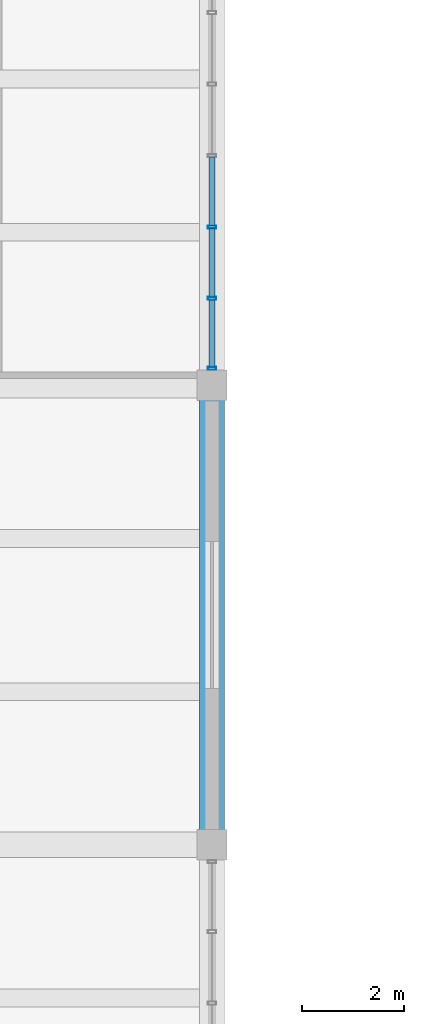
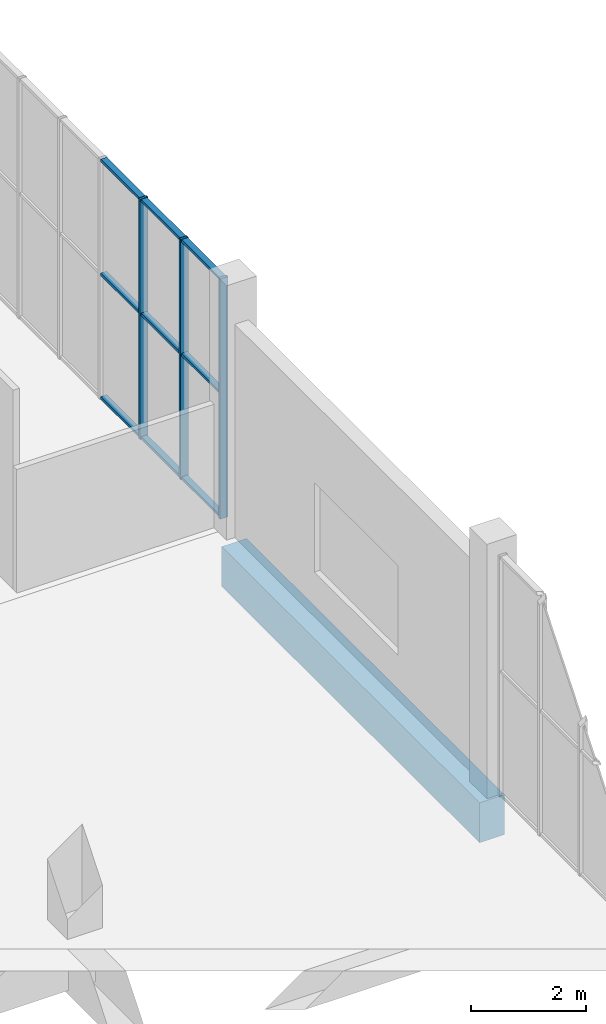
# One storey, part 24 of 132: 12 members, 1 beam, 1 element without a shape of its own.
"""IFC4 building model written with IfcOpenShell, lengths in metres."""

import ifcopenshell
import ifcopenshell.guid

model = None  # the IFC model being written
_history = None  # IfcOwnerHistory: only IFC2X3 demands one
_inside = {}  # id of a spatial element -> (the spatial element, [elements in it])
_under = {}  # id of a project, library or spatial element -> (it, [spatial elements below it])
_declared = {}  # id of a project -> (the project, [libraries it declares])
_typed = {}  # id of a type object -> (the type object, [elements of that type])
_made_of = {}  # id of a material, layer set ... -> (it, [elements and type objects made of it])


def new_model(schema):
    """Start an empty IFC model of exactly this schema.

    Asked for "IFC4X3", IfcOpenShell would pick the latest addendum, in which some entities
    have other attributes; the version numbers below select the first issue.
    IFC2X3 requires an IfcOwnerHistory on every rooted entity: one is made here for all.
    """
    global model, _history
    if schema == "IFC4X3":
        model = ifcopenshell.file(schema_version=(4, 3, 0, 0))
    else:
        model = ifcopenshell.file(schema=schema)
    _inside.clear()
    _under.clear()
    _declared.clear()
    _typed.clear()
    _made_of.clear()
    _history = None
    if model.schema == "IFC2X3":
        org = make("IfcOrganization", Name="unknown")
        user = make(
            "IfcPersonAndOrganization",
            ThePerson=make("IfcPerson", FamilyName="unknown"),
            TheOrganization=org,
        )
        app = make(
            "IfcApplication",
            ApplicationDeveloper=org,
            Version="unknown",
            ApplicationFullName="unknown",
            ApplicationIdentifier="unknown",
        )
        _history = make(
            "IfcOwnerHistory",
            OwningUser=user,
            OwningApplication=app,
            ChangeAction="ADDED",
            CreationDate=0,
        )
    return model


def make(cls, **values):
    """One entity of the class cls with the attributes given. An attribute that is None is left unset."""
    return model.create_entity(
        cls, **{name: value for name, value in values.items() if value is not None}
    )


def rooted(cls, **values):
    """An entity with a GlobalId (a new one), such as an element, a storey or a relation."""
    return make(cls, GlobalId=ifcopenshell.guid.new(), OwnerHistory=_history, **values)


def si_unit(unit_type, name, prefix=None):
    """IfcSIUnit, for example si_unit("LENGTHUNIT", "METRE", prefix="MILLI")."""
    return make("IfcSIUnit", UnitType=unit_type, Prefix=prefix, Name=name)


def assignment(units):
    """IfcUnitAssignment: the units of a project."""
    return None if units is None else make("IfcUnitAssignment", Units=units)


def point(xyz):
    """IfcCartesianPoint."""
    return None if xyz is None else make("IfcCartesianPoint", Coordinates=xyz)


def direction(xyz):
    """IfcDirection."""
    return None if xyz is None else make("IfcDirection", DirectionRatios=xyz)


def frame(location, z_axis=None, x_axis=None):
    """IfcAxis2Placement3D, a coordinate frame: its origin and axes. An axis left out is left unset."""
    return make(
        "IfcAxis2Placement3D",
        Location=point(location),
        Axis=direction(z_axis),
        RefDirection=direction(x_axis),
    )


def frame_2d(location, x_axis=None):
    """IfcAxis2Placement2D, a coordinate frame in the plane: its origin and x axis."""
    return make(
        "IfcAxis2Placement2D", Location=point(location), RefDirection=direction(x_axis)
    )


def origin():
    """The frame at (0, 0, 0) with its axes left unset."""
    return frame((0.0, 0.0, 0.0))


def origin_2d():
    """The frame at (0, 0) in the plane with its x axis left unset."""
    return frame_2d((0.0, 0.0))


def place(relative_to, where):
    """IfcLocalPlacement: puts the frame where relative to a parent placement (None: the world)."""
    return make(
        "IfcLocalPlacement", PlacementRelTo=relative_to, RelativePlacement=where
    )


def context(
    kind, dimensions, precision=None, world=None, true_north=None, identifier=None
):
    """IfcGeometricRepresentationContext, for example the 3D "Model" context."""
    return make(
        "IfcGeometricRepresentationContext",
        ContextIdentifier=identifier,
        ContextType=kind,
        CoordinateSpaceDimension=dimensions,
        Precision=precision,
        WorldCoordinateSystem=world,
        TrueNorth=true_north,
    )


def subcontext(parent, identifier, kind, view, scale=None):
    """IfcGeometricRepresentationSubContext, for example "Body" below "Model"."""
    return make(
        "IfcGeometricRepresentationSubContext",
        ContextIdentifier=identifier,
        ContextType=kind,
        ParentContext=parent,
        TargetScale=scale,
        TargetView=view,
    )


def project(units=None, contexts=None):
    """IfcProject with its units and contexts."""
    return rooted(
        "IfcProject",
        Name="project",
        RepresentationContexts=contexts,
        UnitsInContext=assignment(units),
    )


def spatial(cls, under=None, at=None, **own):
    """A site, building, storey or space (cls), placed at a placement, below another one or the project."""
    s = rooted(cls, ObjectPlacement=at, **own)
    if under is not None:
        _under.setdefault(under.id(), (under, []))[1].append(s)
    return s


def profile(cls, at=None, kind="AREA", **sizes):
    """A parametric profile (cls). Its sizes go by their IFC names, for example OverallWidth=200.0."""
    return make(cls, ProfileType=kind, Position=at, **sizes)


def rectangle(**sizes):
    """IfcRectangleProfileDef."""
    return profile("IfcRectangleProfileDef", **sizes)


def hollow_rectangle(**sizes):
    """IfcRectangleHollowProfileDef."""
    return profile("IfcRectangleHollowProfileDef", **sizes)


def extrude(swept, where, along, depth):
    """IfcExtrudedAreaSolid: the profile swept, set in the frame where, extruded along a direction by depth."""
    return make(
        "IfcExtrudedAreaSolid",
        SweptArea=swept,
        Position=where,
        ExtrudedDirection=direction(along),
        Depth=depth,
    )


def shape(context_of_items, identifier, shape_type, items):
    """IfcShapeRepresentation: the items that make up one representation, for example the "Body"."""
    return make(
        "IfcShapeRepresentation",
        ContextOfItems=context_of_items,
        RepresentationIdentifier=identifier,
        RepresentationType=shape_type,
        Items=items,
    )


def material(Name=None, Category=None):
    """IfcMaterial."""
    return make("IfcMaterial", Name=Name, Category=Category)


def material_profile(
    of_material, cross_section, Name=None, Category=None, Priority=None
):
    """IfcMaterialProfile: a cross section and its material."""
    return make(
        "IfcMaterialProfile",
        Name=Name,
        Material=of_material,
        Profile=cross_section,
        Priority=Priority,
        Category=Category,
    )


def profile_set(profiles, Name=None, composite=None):
    """IfcMaterialProfileSet."""
    return make(
        "IfcMaterialProfileSet",
        Name=Name,
        MaterialProfiles=profiles,
        CompositeProfile=composite,
    )


def made_of(thing, what):
    """Note that an element or type object is made of a material, layer set ...; save() writes the relation."""
    if what is not None:
        _made_of.setdefault(what.id(), (what, []))[1].append(thing)
    return thing


def type_object(cls, material=None, **own):
    """A type object (cls), such as IfcWallType, which elements share."""
    return made_of(rooted(cls, **own), material)


def element(
    cls,
    number,
    at=None,
    inside=None,
    cuts=None,
    type_object=None,
    material=None,
    context=None,
    identifier="Body",
    shape_type=None,
    held_by="IfcProductDefinitionShape",
    body=None,
    shapes=None,
    **own,
):
    """One element of the class cls, such as IfcWall. Its Tag is "e" and its number.

    at: its placement. inside: the storey or other place that contains it. cuts: it is an
    opening in that element (IfcRelVoidsElement). A single representation is given by context,
    identifier, shape_type and body (its items); several are given by shapes. held_by: the class
    of the entity that holds the representations. save() writes the other relations.
    """
    e = rooted(cls, Tag="e%d" % number, ObjectPlacement=at, **own)
    if body is not None:
        shapes = [shape(context, identifier, shape_type, body)]
    if shapes is not None:
        e.Representation = make(held_by, Representations=shapes)
    if inside is not None:
        _inside.setdefault(inside.id(), (inside, []))[1].append(e)
    if cuts is not None:
        rooted(
            "IfcRelVoidsElement", RelatingBuildingElement=cuts, RelatedOpeningElement=e
        )
    if type_object is not None:
        _typed.setdefault(type_object.id(), (type_object, []))[1].append(e)
    return made_of(e, material)


def aggregate(whole, parts):
    """IfcRelAggregates: a whole, such as a stair, and the parts it consists of."""
    return rooted("IfcRelAggregates", RelatingObject=whole, RelatedObjects=parts)


def save(model, path):
    """Write the relations noted so far, then the file.

    IfcRelAggregates (storeys below a building ...), IfcRelContainedInSpatialStructure (elements
    in a storey), IfcRelDefinesByType, IfcRelAssociatesMaterial and IfcRelDeclares: one each for
    every whole, place, type object, material and project.
    """
    for whole, parts in _under.values():
        aggregate(whole, parts)
    for where, things in _inside.values():
        rooted(
            "IfcRelContainedInSpatialStructure",
            RelatedElements=things,
            RelatingStructure=where,
        )
    for kind, things in _typed.values():
        rooted("IfcRelDefinesByType", RelatedObjects=things, RelatingType=kind)
    for what, things in _made_of.values():
        rooted("IfcRelAssociatesMaterial", RelatedObjects=things, RelatingMaterial=what)
    for by, libraries in _declared.values():
        rooted("IfcRelDeclares", RelatingContext=by, RelatedDefinitions=libraries)
    model.write(path)


model = new_model("IFC4")

# Units and contexts
model_context = context("Model", 3, precision=1e-05, world=origin(), true_north=direction((0.0, 1.0)))
body_context = subcontext(model_context, "Body", "Model", "MODEL_VIEW")
ifc_project = project(units=[si_unit("LENGTHUNIT", "METRE"), si_unit("AREAUNIT", "SQUARE_METRE"), si_unit("VOLUMEUNIT", "CUBIC_METRE"), si_unit("PLANEANGLEUNIT", "RADIAN"), si_unit("MASSUNIT", "GRAM", prefix="KILO")], contexts=[model_context])

# Site, building, storey
site_placement = place(None, origin())
site = spatial("IfcSite", under=ifc_project, at=site_placement, CompositionType="ELEMENT")
building_placement = place(site_placement, origin())
building = spatial("IfcBuilding", under=site, at=building_placement, Name="Khurvash Pelagic Aquarium", CompositionType="ELEMENT")
storey_placement = place(building_placement, frame((0.0, 0.0, 5.39990234375)))
storey = spatial("IfcBuildingStorey", under=building, at=storey_placement, Name="L01", CompositionType="ELEMENT", Elevation=5.39990234375)

# Curtain wall, members
ifc_material_1 = material(Name="Anodised aluminium and low-E laminated glass", Category="aluminium")
curtain_wall_type = type_object("IfcCurtainWallType", Name="CW-06", PredefinedType="USERDEFINED", material=ifc_material_1)
curtain_wall_placement = place(storey_placement, origin())
curtain_wall = element("IfcCurtainWall", 1, at=curtain_wall_placement, inside=storey, type_object=curtain_wall_type, Name="L01 Facade Unitised Curtain Wall CW-06 0131", ObjectType="UNITISED CURTAIN WALL", PredefinedType="USERDEFINED")
ifc_material_2 = material(Name="Extruded aluminium AW-6063-T6", Category="aluminium")
ifc_material_profile_1 = material_profile(ifc_material_2, hollow_rectangle(XDim=0.06005859375, YDim=0.159912109375, WallThickness=0.00390625, at=origin_2d()), Name="CWM60X160X4")
ifc_profile_set_1 = profile_set([ifc_material_profile_1], Name="Extruded aluminium AW-6063-T6")
member_type_1 = type_object("IfcMemberType", Name="CM-02", PredefinedType="MULLION", material=ifc_profile_set_1)
member_1_placement = place(storey_placement, frame((33.60009765625, 57.235107421875, 0.0), z_axis=(0.0, 0.0, 1.0), x_axis=(0.0, 1.0, 0.0)))
member_1 = element("IfcMember", 2, at=member_1_placement, type_object=member_type_1, Name="CW-06 mullion 1", PredefinedType="MULLION", context=body_context, shape_type="SweptSolid", body=[
    extrude(hollow_rectangle(XDim=0.06005859375, YDim=0.159912109375, WallThickness=0.00390625, at=origin_2d()), origin(), (0.0, 0.0, 1.0), 5.10009765625),
])
member_2_placement = place(storey_placement, frame((33.60009765625, 58.611572265625, 0.0), z_axis=(0.0, 0.0, 1.0), x_axis=(0.0, 1.0, 0.0)))
member_2 = element("IfcMember", 3, at=member_2_placement, type_object=member_type_1, Name="CW-06 mullion 2", PredefinedType="MULLION", context=body_context, shape_type="SweptSolid", body=[
    extrude(hollow_rectangle(XDim=0.06005859375, YDim=0.159912109375, WallThickness=0.00390625, at=origin_2d()), origin(), (0.0, 0.0, 1.0), 5.10009765625),
])
member_3_placement = place(storey_placement, frame((33.60009765625, 60.018310546875, 0.0), z_axis=(0.0, 0.0, 1.0), x_axis=(0.0, 1.0, 0.0)))
member_3 = element("IfcMember", 4, at=member_3_placement, type_object=member_type_1, Name="CW-06 mullion 3", PredefinedType="MULLION", context=body_context, shape_type="SweptSolid", body=[
    extrude(hollow_rectangle(XDim=0.06005859375, YDim=0.159912109375, WallThickness=0.00390625, at=origin_2d()), origin(), (0.0, 0.0, 1.0), 5.10009765625),
])
ifc_material_profile_2 = material_profile(ifc_material_2, hollow_rectangle(XDim=0.1201171875, YDim=0.06005859375, WallThickness=0.00390625, at=origin_2d()), Name="CWT120X60X4")
ifc_profile_set_2 = profile_set([ifc_material_profile_2], Name="Extruded aluminium AW-6063-T6")
member_type_2 = type_object("IfcMemberType", Name="CT-02", PredefinedType="USERDEFINED", material=ifc_profile_set_2)
member_4_placement = place(storey_placement, frame((33.60009765625, 57.264892578125, 0.030029296875), z_axis=(0.0, 1.0, 0.0), x_axis=(-1.0, 0.0, 0.0)))
member_4 = element("IfcMember", 5, at=member_4_placement, type_object=member_type_2, Name="CW-06 transom 1.1", ObjectType="TRANSOM", PredefinedType="USERDEFINED", context=body_context, shape_type="SweptSolid", body=[
    extrude(hollow_rectangle(XDim=0.1201171875, YDim=0.06005859375, WallThickness=0.00390625, at=origin_2d()), origin(), (0.0, 0.0, 1.0), 1.31689453125),
])
member_5_placement = place(storey_placement, frame((33.60009765625, 57.264892578125, 2.652099609375), z_axis=(0.0, 1.0, 0.0), x_axis=(-1.0, 0.0, 0.0)))
member_5 = element("IfcMember", 6, at=member_5_placement, type_object=member_type_2, Name="CW-06 transom 1.2", ObjectType="TRANSOM", PredefinedType="USERDEFINED", context=body_context, shape_type="SweptSolid", body=[
    extrude(hollow_rectangle(XDim=0.1201171875, YDim=0.06005859375, WallThickness=0.00390625, at=origin_2d()), origin(), (0.0, 0.0, 1.0), 1.31689453125),
])
member_6_placement = place(storey_placement, frame((33.60009765625, 57.264892578125, 5.070068359375), z_axis=(0.0, 1.0, 0.0), x_axis=(-1.0, 0.0, 0.0)))
member_6 = element("IfcMember", 7, at=member_6_placement, type_object=member_type_2, Name="CW-06 transom 1.3", ObjectType="TRANSOM", PredefinedType="USERDEFINED", context=body_context, shape_type="SweptSolid", body=[
    extrude(hollow_rectangle(XDim=0.1201171875, YDim=0.06005859375, WallThickness=0.00390625, at=origin_2d()), origin(), (0.0, 0.0, 1.0), 1.31689453125),
])
member_7_placement = place(storey_placement, frame((33.60009765625, 58.6416015625, 0.030029296875), z_axis=(0.0, 1.0, 0.0), x_axis=(-1.0, 0.0, 0.0)))
member_7 = element("IfcMember", 8, at=member_7_placement, type_object=member_type_2, Name="CW-06 transom 2.1", ObjectType="TRANSOM", PredefinedType="USERDEFINED", context=body_context, shape_type="SweptSolid", body=[
    extrude(hollow_rectangle(XDim=0.1201171875, YDim=0.06005859375, WallThickness=0.00390625, at=origin_2d()), origin(), (0.0, 0.0, 1.0), 1.3466796875),
])
member_8_placement = place(storey_placement, frame((33.60009765625, 58.6416015625, 2.652099609375), z_axis=(0.0, 1.0, 0.0), x_axis=(-1.0, 0.0, 0.0)))
member_8 = element("IfcMember", 9, at=member_8_placement, type_object=member_type_2, Name="CW-06 transom 2.2", ObjectType="TRANSOM", PredefinedType="USERDEFINED", context=body_context, shape_type="SweptSolid", body=[
    extrude(hollow_rectangle(XDim=0.1201171875, YDim=0.06005859375, WallThickness=0.00390625, at=origin_2d()), origin(), (0.0, 0.0, 1.0), 1.3466796875),
])
member_9_placement = place(storey_placement, frame((33.60009765625, 58.6416015625, 5.070068359375), z_axis=(0.0, 1.0, 0.0), x_axis=(-1.0, 0.0, 0.0)))
member_9 = element("IfcMember", 10, at=member_9_placement, type_object=member_type_2, Name="CW-06 transom 2.3", ObjectType="TRANSOM", PredefinedType="USERDEFINED", context=body_context, shape_type="SweptSolid", body=[
    extrude(hollow_rectangle(XDim=0.1201171875, YDim=0.06005859375, WallThickness=0.00390625, at=origin_2d()), origin(), (0.0, 0.0, 1.0), 1.3466796875),
])
member_10_placement = place(storey_placement, frame((33.60009765625, 60.04833984375, 0.030029296875), z_axis=(0.0, 1.0, 0.0), x_axis=(-1.0, 0.0, 0.0)))
member_10 = element("IfcMember", 11, at=member_10_placement, type_object=member_type_2, Name="CW-06 transom 3.1", ObjectType="TRANSOM", PredefinedType="USERDEFINED", context=body_context, shape_type="SweptSolid", body=[
    extrude(hollow_rectangle(XDim=0.1201171875, YDim=0.06005859375, WallThickness=0.00390625, at=origin_2d()), origin(), (0.0, 0.0, 1.0), 1.3466796875),
])
member_11_placement = place(storey_placement, frame((33.60009765625, 60.04833984375, 2.652099609375), z_axis=(0.0, 1.0, 0.0), x_axis=(-1.0, 0.0, 0.0)))
member_11 = element("IfcMember", 12, at=member_11_placement, type_object=member_type_2, Name="CW-06 transom 3.2", ObjectType="TRANSOM", PredefinedType="USERDEFINED", context=body_context, shape_type="SweptSolid", body=[
    extrude(hollow_rectangle(XDim=0.1201171875, YDim=0.06005859375, WallThickness=0.00390625, at=origin_2d()), origin(), (0.0, 0.0, 1.0), 1.3466796875),
])
member_12_placement = place(storey_placement, frame((33.60009765625, 60.04833984375, 5.070068359375), z_axis=(0.0, 1.0, 0.0), x_axis=(-1.0, 0.0, 0.0)))
member_12 = element("IfcMember", 13, at=member_12_placement, type_object=member_type_2, Name="CW-06 transom 3.3", ObjectType="TRANSOM", PredefinedType="USERDEFINED", context=body_context, shape_type="SweptSolid", body=[
    extrude(hollow_rectangle(XDim=0.1201171875, YDim=0.06005859375, WallThickness=0.00390625, at=origin_2d()), origin(), (0.0, 0.0, 1.0), 1.3466796875),
])
aggregate(curtain_wall, [member_1, member_2, member_3, member_4, member_5, member_6, member_7, member_8, member_9, member_10, member_11, member_12])

# Beam
ifc_material_3 = material(Name="Concrete C40/50", Category="concrete")
ifc_material_profile_3 = material_profile(ifc_material_3, rectangle(XDim=0.5, YDim=0.85009765625, at=origin_2d()), Name="RC500X850")
ifc_profile_set_3 = profile_set([ifc_material_profile_3], Name="Concrete C40/50")
beam_type = type_object("IfcBeamType", Name="SEB-03", PredefinedType="SPANDREL", material=ifc_profile_set_3)
beam_placement = place(storey_placement, frame((33.60009765625, 47.889892578125, -0.73486328125), z_axis=(0.0, 1.0, 0.0), x_axis=(-1.0, 0.0, 0.0)))
element("IfcBeam", 14, at=beam_placement, inside=storey, type_object=beam_type, Name="L01 Primary Girder SEB-03 00374", PredefinedType="SPANDREL", context=body_context, shape_type="SweptSolid", body=[
    extrude(rectangle(XDim=0.5, YDim=0.85009765625, at=origin_2d()), origin(), (0.0, 0.0, 1.0), 8.97021484375),
])

save(model, "model.ifc")
